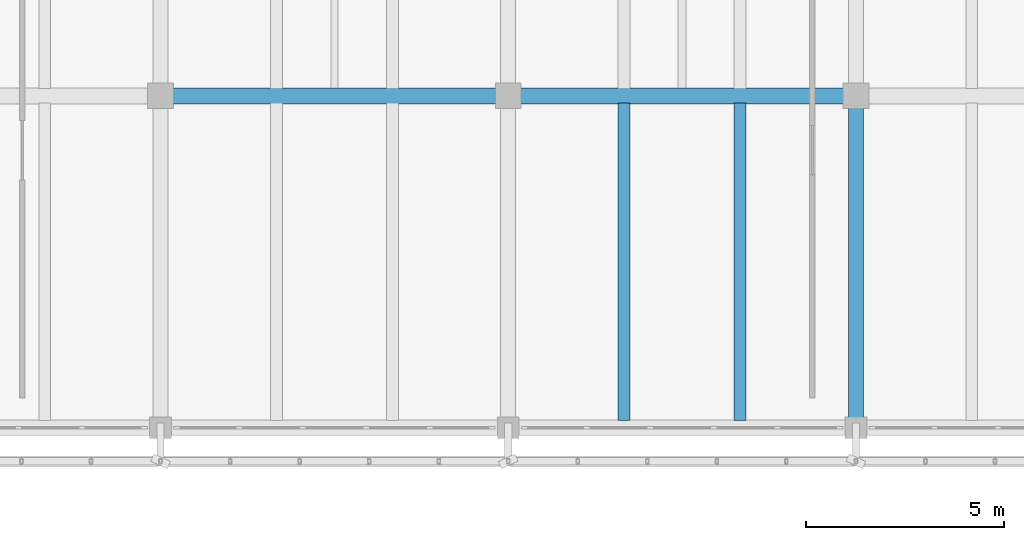
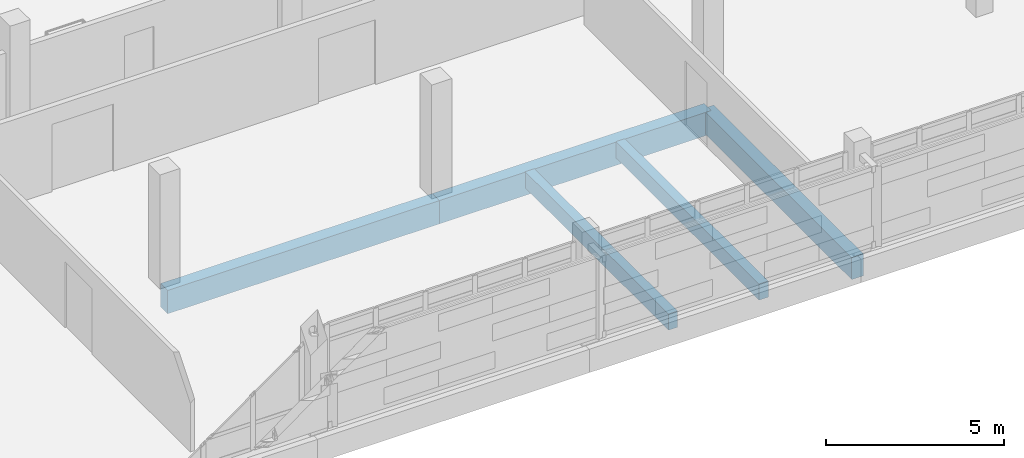
# One storey, part 59 of 117: 5 beams.
"""IFC4 building model written with IfcOpenShell, lengths in metres."""

from ifc_helpers import new_model, si_unit, direction, frame, origin, origin_2d, place, context, subcontext, project, spatial, rectangle, extrude, material, material_profile, profile_set, type_object, element, save


model = new_model("IFC4")

# Units and contexts
model_context = context("Model", 3, precision=1e-05, world=origin(), true_north=direction((0.0, 1.0)))
body_context = subcontext(model_context, "Body", "Model", "MODEL_VIEW")
ifc_project = project(units=[si_unit("LENGTHUNIT", "METRE"), si_unit("AREAUNIT", "SQUARE_METRE"), si_unit("VOLUMEUNIT", "CUBIC_METRE"), si_unit("PLANEANGLEUNIT", "RADIAN"), si_unit("MASSUNIT", "GRAM", prefix="KILO")], contexts=[model_context])

# Site, building, storey
site_placement = place(None, origin())
site = spatial("IfcSite", under=ifc_project, at=site_placement, CompositionType="ELEMENT")
building_placement = place(site_placement, origin())
building = spatial("IfcBuilding", under=site, at=building_placement, Name="Cinderway Yard Community Centre", CompositionType="ELEMENT")
storey_placement = place(building_placement, frame((0.0, 0.0, 9.0)))
storey = spatial("IfcBuildingStorey", under=building, at=storey_placement, Name="L02", CompositionType="ELEMENT", Elevation=9.0)

# Beams
ifc_material_1 = material(Name="Concrete C35/45", Category="concrete")
ifc_material_profile_1 = material_profile(ifc_material_1, rectangle(XDim=0.300048828125, YDim=0.550048828125, at=origin_2d()), Name="Concrete C35/45")
ifc_profile_set_1 = profile_set([ifc_material_profile_1], Name="Concrete C35/45")
beam_type_1 = type_object("IfcBeamType", Name="STR-BM-RC300X550", PredefinedType="JOIST", material=ifc_profile_set_1)
for number, where, z_axis, x_axis, name in (
    (1, (113.3330078125, 90.181884765625, -0.514892578125), (0.0, 1.0, 0.0), (-1.0, 0.0, 0.0), "Secondary joist STR-BM-L02-BJ03-0627"),
    (2, (116.26708984375, 90.181884765625, -0.514892578125), (0.0, 1.0, 0.0), (-1.0, 0.0, 0.0), "Secondary joist STR-BM-L02-BJ03-0628"),
):
    element("IfcBeam", number, at=place(storey_placement, frame(where, z_axis=z_axis, x_axis=x_axis)), inside=storey, type_object=beam_type_1, Name=name, PredefinedType="JOIST", context=body_context, shape_type="SweptSolid", body=[
        extrude(rectangle(XDim=0.300048828125, YDim=0.550048828125, at=origin_2d()), origin(), (0.0, 0.0, 1.0), 8.0361328125),
    ])
ifc_material_profile_2 = material_profile(ifc_material_1, rectangle(XDim=0.3798828125, YDim=0.75, at=origin_2d()), Name="Concrete C35/45")
ifc_profile_set_2 = profile_set([ifc_material_profile_2], Name="Concrete C35/45")
beam_type_2 = type_object("IfcBeamType", Name="STR-BM-RC380X750", PredefinedType="BEAM", material=ifc_profile_set_2)
beam_1_placement = place(storey_placement, frame((119.199951171875, 90.0, -0.614990234375), z_axis=(0.0, 1.0, 0.0), x_axis=(-1.0, 0.0, 0.0)))
element("IfcBeam", 3, at=beam_1_placement, inside=storey, type_object=beam_type_2, Name="Transverse girder STR-BM-L02-BG06-0571", PredefinedType="BEAM", context=body_context, shape_type="SweptSolid", body=[
    extrude(rectangle(XDim=0.3798828125, YDim=0.75, at=origin_2d()), origin(), (0.0, 0.0, 1.0), 8.39990234375),
])
ifc_material_2 = material(Name="Concrete C40/50", Category="concrete")
ifc_material_profile_3 = material_profile(ifc_material_2, rectangle(XDim=0.39990234375, YDim=0.800048828125, at=origin_2d()), Name="Concrete C40/50")
ifc_profile_set_3 = profile_set([ifc_material_profile_3], Name="Concrete C40/50")
beam_type_3 = type_object("IfcBeamType", Name="STR-BM-RC400X800", PredefinedType="BEAM", material=ifc_profile_set_3)
beam_2_placement = place(storey_placement, frame((101.60009765625, 98.39990234375, -0.639892578125), z_axis=(1.0, 0.0, 0.0), x_axis=(0.0, 1.0, 0.0)))
element("IfcBeam", 4, at=beam_2_placement, inside=storey, type_object=beam_type_3, Name="Primary girder STR-BM-L02-BG05-0515", PredefinedType="BEAM", context=body_context, shape_type="SweptSolid", body=[
    extrude(rectangle(XDim=0.39990234375, YDim=0.800048828125, at=origin_2d()), origin(), (0.0, 0.0, 1.0), 8.7998046875),
])
beam_3_placement = place(storey_placement, frame((110.39990234375, 98.39990234375, -0.639892578125), z_axis=(1.0, 0.0, 0.0), x_axis=(0.0, 1.0, 0.0)))
element("IfcBeam", 5, at=beam_3_placement, inside=storey, type_object=beam_type_3, Name="Primary girder STR-BM-L02-BG05-0516", PredefinedType="BEAM", context=body_context, shape_type="SweptSolid", body=[
    extrude(rectangle(XDim=0.39990234375, YDim=0.800048828125, at=origin_2d()), origin(), (0.0, 0.0, 1.0), 8.800048828125),
])

save(model, "model.ifc")
